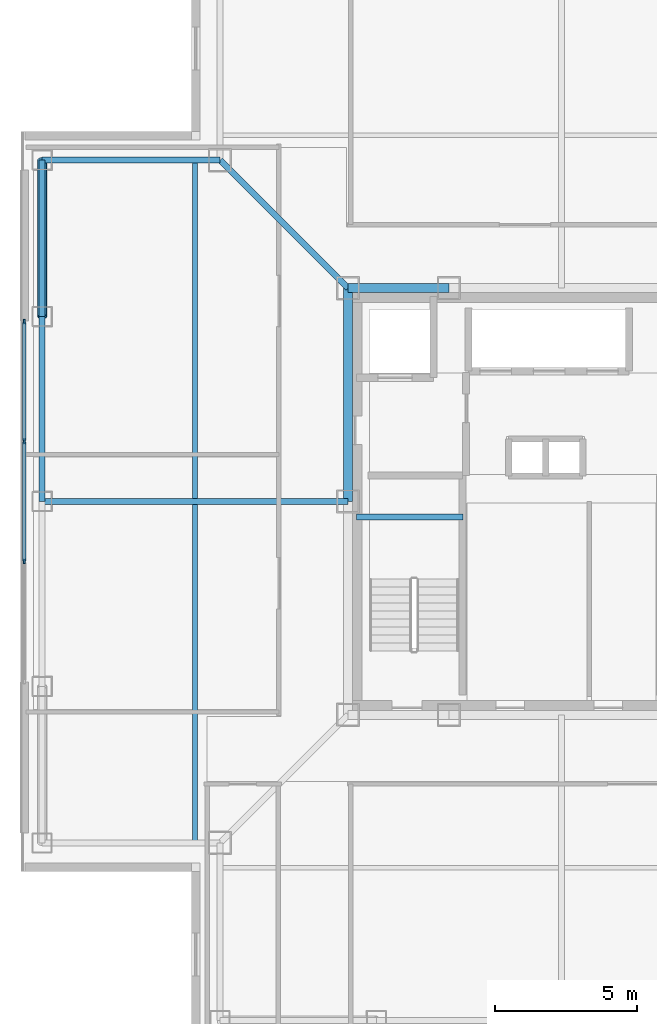
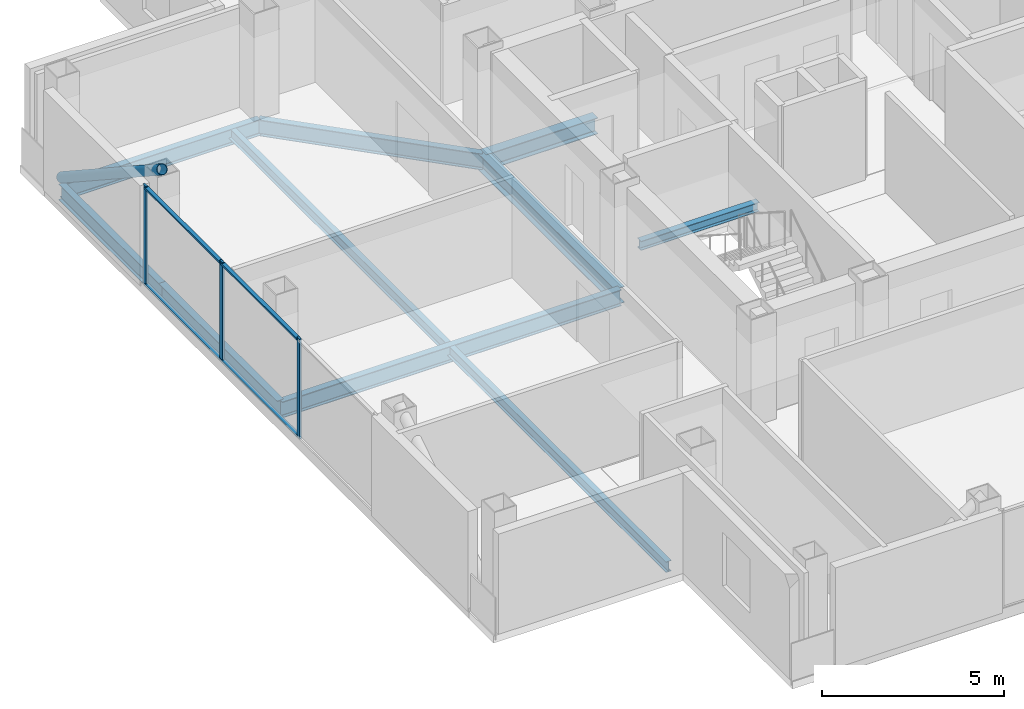
# One storey, part 4 of 16: 9 beams, 8 members, 1 element without a shape of its own.
"""IFC4 building model written with IfcOpenShell, lengths in metres."""

from ifc_helpers import new_model, si_unit, direction, frame, origin, origin_2d, place, context, subcontext, project, spatial, rectangle, hollow_circle, i_section, extrude, material, layer, layer_set, material_profile, profile_set, type_object, element, aggregate, save


model = new_model("IFC4")

# Units and contexts
model_context = context("Model", 3, precision=1e-05, world=origin(), true_north=direction((0.0, 1.0)))
body_context = subcontext(model_context, "Body", "Model", "MODEL_VIEW")
ifc_project = project(units=[si_unit("LENGTHUNIT", "METRE"), si_unit("AREAUNIT", "SQUARE_METRE"), si_unit("VOLUMEUNIT", "CUBIC_METRE"), si_unit("PLANEANGLEUNIT", "RADIAN"), si_unit("MASSUNIT", "GRAM", prefix="KILO")], contexts=[model_context])

# Site, building, storey
site_placement = place(None, origin())
site = spatial("IfcSite", under=ifc_project, at=site_placement, CompositionType="ELEMENT")
building_placement = place(site_placement, origin())
building = spatial("IfcBuilding", under=site, at=building_placement, Name="Trevonay Congress Spire", CompositionType="ELEMENT")
storey_placement = place(building_placement, frame((0.0, 0.0, 257.60009765625)))
storey = spatial("IfcBuildingStorey", under=building, at=storey_placement, Name="L67", CompositionType="ELEMENT", Elevation=257.60009765625)

# Beams
ifc_material_1 = material(Name="Steel ASTM A572 Grade 50", Category="steel")
ifc_material_profile_1 = material_profile(ifc_material_1, i_section(OverallWidth=0.2119140625, OverallDepth=0.5439453125, WebThickness=0.01318359375, FlangeThickness=0.021240234375, FilletRadius=0.014892578125, at=origin_2d()), Name="W530x123")
ifc_profile_set_1 = profile_set([ifc_material_profile_1], Name="Steel ASTM A572 Grade 50")
beam_type_1 = type_object("IfcBeamType", Name="BM-GIRD-W530X123", PredefinedType="BEAM", material=ifc_profile_set_1)
beam_1_placement = place(storey_placement, frame((-7.5, 7.5, -0.51220703125), z_axis=(-0.707106781187, 0.707106781187, 0.0), x_axis=(-0.707106781187, -0.707106781187, 0.0)))
element("IfcBeam", 1, at=beam_1_placement, inside=storey, type_object=beam_type_1, Name="L67 structural beam BM-L67-CDNW", PredefinedType="BEAM", context=body_context, shape_type="SweptSolid", body=[
    extrude(i_section(OverallWidth=0.2119140625, OverallDepth=0.5439453125, WebThickness=0.01318359375, FlangeThickness=0.021240234375, FilletRadius=0.014892578125, at=origin_2d()), origin(), (0.0, 0.0, 1.0), 6.364013671875),
])
beam_2_placement = place(storey_placement, frame((-7.5, 0.0, -0.51220703125), z_axis=(-1.0, 0.0, 0.0), x_axis=(0.0, -1.0, 0.0)))
element("IfcBeam", 2, at=beam_2_placement, inside=storey, type_object=beam_type_1, Name="L67 structural beam BM-L67-GC-W", PredefinedType="BEAM", context=body_context, shape_type="SweptSolid", body=[
    extrude(i_section(OverallWidth=0.2119140625, OverallDepth=0.5439453125, WebThickness=0.01318359375, FlangeThickness=0.021240234375, FilletRadius=0.014892578125, at=origin_2d()), origin(), (0.0, 0.0, 1.0), 10.75),
])
ifc_material_profile_2 = material_profile(ifc_material_1, i_section(OverallWidth=0.31201171875, OverallDepth=0.54296875, WebThickness=0.0126953125, FlangeThickness=0.020263671875, FilletRadius=0.014892578125, at=origin_2d()), Name="W530x150")
ifc_profile_set_2 = profile_set([ifc_material_profile_2], Name="Steel ASTM A572 Grade 50")
beam_type_2 = type_object("IfcBeamType", Name="BM-GIRD-W530X150", PredefinedType="BEAM", material=ifc_profile_set_2)
beam_3_placement = place(storey_placement, frame((-7.5, 7.5, -0.51171875), z_axis=(1.0, 0.0, 0.0), x_axis=(0.0, 1.0, 0.0)))
element("IfcBeam", 3, at=beam_3_placement, inside=storey, type_object=beam_type_2, Name="L67 structural beam BM-L67-CR-N1", PredefinedType="BEAM", context=body_context, shape_type="SweptSolid", body=[
    extrude(i_section(OverallWidth=0.31201171875, OverallDepth=0.54296875, WebThickness=0.0126953125, FlangeThickness=0.020263671875, FilletRadius=0.014892578125, at=origin_2d()), origin(), (0.0, 0.0, 1.0), 3.550048828125),
])
beam_4_placement = place(storey_placement, frame((-7.5, 0.0, -0.51171875), z_axis=(0.0, 1.0, 0.0), x_axis=(-1.0, 0.0, 0.0)))
element("IfcBeam", 4, at=beam_4_placement, inside=storey, type_object=beam_type_2, Name="L67 structural beam BM-L67-CR-W2", PredefinedType="BEAM", context=body_context, shape_type="SweptSolid", body=[
    extrude(i_section(OverallWidth=0.31201171875, OverallDepth=0.54296875, WebThickness=0.0126953125, FlangeThickness=0.020263671875, FilletRadius=0.014892578125, at=origin_2d()), origin(), (0.0, 0.0, 1.0), 7.5),
])
ifc_material_profile_3 = material_profile(ifc_material_1, i_section(OverallWidth=0.208984375, OverallDepth=0.532958984375, WebThickness=0.01025390625, FlangeThickness=0.015625, FilletRadius=0.014892578125, at=origin_2d()), Name="W530x92")
ifc_profile_set_3 = profile_set([ifc_material_profile_3], Name="Steel ASTM A572 Grade 50")
beam_type_3 = type_object("IfcBeamType", Name="BM-RING-W530X92", PredefinedType="BEAM", material=ifc_profile_set_3)
beam_5_placement = place(storey_placement, frame((-18.25, 0.0, -0.506591796875), z_axis=(0.0, 1.0, 0.0), x_axis=(-1.0, 0.0, 0.0)))
element("IfcBeam", 5, at=beam_5_placement, inside=storey, type_object=beam_type_3, Name="L67 structural beam BM-L67-PW3", PredefinedType="BEAM", context=body_context, shape_type="SweptSolid", body=[
    extrude(i_section(OverallWidth=0.208984375, OverallDepth=0.532958984375, WebThickness=0.01025390625, FlangeThickness=0.015625, FilletRadius=0.014892578125, at=origin_2d()), origin(), (0.0, 0.0, 1.0), 6.5),
])
beam_6_placement = place(storey_placement, frame((-18.25, 6.5, -0.506591796875), z_axis=(0.0, 1.0, 0.0), x_axis=(-1.0, 0.0, 0.0)))
element("IfcBeam", 6, at=beam_6_placement, inside=storey, type_object=beam_type_3, Name="L67 structural beam BM-L67-PW4", PredefinedType="BEAM", context=body_context, shape_type="SweptSolid", body=[
    extrude(i_section(OverallWidth=0.208984375, OverallDepth=0.532958984375, WebThickness=0.01025390625, FlangeThickness=0.015625, FilletRadius=0.014892578125, at=origin_2d()), origin(), (0.0, 0.0, 1.0), 5.5),
])
beam_7_placement = place(storey_placement, frame((-18.25, 12.0, -0.506591796875), z_axis=(1.0, 0.0, 0.0), x_axis=(0.0, 1.0, 0.0)))
element("IfcBeam", 7, at=beam_7_placement, inside=storey, type_object=beam_type_3, Name="L67 structural beam BM-L67-N2NW", PredefinedType="BEAM", context=body_context, shape_type="SweptSolid", body=[
    extrude(i_section(OverallWidth=0.208984375, OverallDepth=0.532958984375, WebThickness=0.01025390625, FlangeThickness=0.015625, FilletRadius=0.014892578125, at=origin_2d()), origin(), (0.0, 0.0, 1.0), 6.25),
])

# Curtain wall, members
ifc_material_2 = material(Name="Pale Anodised Aluminium EN AW-6063-T6", Category="aluminium")
ifc_layer = layer(ifc_material_2, 0.1650390625, Name="Pale Anodised Aluminium EN AW-6063-T6")
ifc_layer_set = layer_set([ifc_layer], Name="Pale Anodised Aluminium EN AW-6063-T6")
curtain_wall_type = type_object("IfcCurtainWallType", Name="CW-SYS05-DIPLOM-PALE-METAL", PredefinedType="NOTDEFINED", material=ifc_layer_set)
curtain_wall_placement = place(storey_placement, origin())
curtain_wall = element("IfcCurtainWall", 8, at=curtain_wall_placement, inside=storey, type_object=curtain_wall_type, Name="L67 W unitised curtain wall", PredefinedType="NOTDEFINED")
ifc_material_profile_4 = material_profile(ifc_material_2, rectangle(XDim=0.06005859375, YDim=0.159912109375, at=origin_2d()), Name="CW-MULLION-160-ALUMINIUM")
ifc_profile_set_4 = profile_set([ifc_material_profile_4], Name="Pale Anodised Aluminium EN AW-6063-T6")
member_type_1 = type_object("IfcMemberType", Name="CW-MULLION-160-ALUMINIUM", PredefinedType="MULLION", material=ifc_profile_set_4)
member_1_placement = place(storey_placement, frame((-18.8798828125, -2.11669921875, 0.0), z_axis=(0.0, 0.0, 1.0), x_axis=(-1.0, 0.0, 0.0)))
member_1 = element("IfcMember", 9, at=member_1_placement, type_object=member_type_1, Name="CW05 mullion 2", PredefinedType="MULLION", context=body_context, shape_type="SweptSolid", body=[
    extrude(rectangle(XDim=0.06005859375, YDim=0.159912109375, at=origin_2d()), origin(), (0.0, 0.0, 1.0), 3.35986328125),
])
member_2_placement = place(storey_placement, frame((-18.8798828125, 2.11669921875, 0.0), z_axis=(0.0, 0.0, 1.0), x_axis=(-1.0, 0.0, 0.0)))
member_2 = element("IfcMember", 10, at=member_2_placement, type_object=member_type_1, Name="CW05 mullion 3", PredefinedType="MULLION", context=body_context, shape_type="SweptSolid", body=[
    extrude(rectangle(XDim=0.06005859375, YDim=0.159912109375, at=origin_2d()), origin(), (0.0, 0.0, 1.0), 3.35986328125),
])
member_3_placement = place(storey_placement, frame((-18.8798828125, 6.320068359375, 0.0), z_axis=(0.0, 0.0, 1.0), x_axis=(-1.0, 0.0, 0.0)))
member_3 = element("IfcMember", 11, at=member_3_placement, type_object=member_type_1, Name="CW05 mullion 4", PredefinedType="MULLION", context=body_context, shape_type="SweptSolid", body=[
    extrude(rectangle(XDim=0.06005859375, YDim=0.159912109375, at=origin_2d()), origin(), (0.0, 0.0, 1.0), 3.35986328125),
])
ifc_material_profile_5 = material_profile(ifc_material_2, rectangle(XDim=0.1201171875, YDim=0.06005859375, at=origin_2d()), Name="CW-TRANSOM-120-ALUMINIUM")
ifc_profile_set_5 = profile_set([ifc_material_profile_5], Name="Pale Anodised Aluminium EN AW-6063-T6")
member_type_2 = type_object("IfcMemberType", Name="CW-TRANSOM-120-ALUMINIUM", PredefinedType="USERDEFINED", material=ifc_profile_set_5)
member_4_placement = place(storey_placement, frame((-18.8798828125, -2.086669921875, 0.059814453125), z_axis=(0.0, 1.0, 0.0), x_axis=(-1.0, 0.0, 0.0)))
member_4 = element("IfcMember", 12, at=member_4_placement, type_object=member_type_2, Name="CW05 transom 2.1", ObjectType="TRANSOM", PredefinedType="USERDEFINED", context=body_context, shape_type="SweptSolid", body=[
    extrude(rectangle(XDim=0.1201171875, YDim=0.06005859375, at=origin_2d()), origin(), (0.0, 0.0, 1.0), 4.17333984375),
])
member_5_placement = place(storey_placement, frame((-18.8798828125, -2.086669921875, 3.2998046875), z_axis=(0.0, 1.0, 0.0), x_axis=(-1.0, 0.0, 0.0)))
member_5 = element("IfcMember", 13, at=member_5_placement, type_object=member_type_2, Name="CW05 transom 2.2", ObjectType="TRANSOM", PredefinedType="USERDEFINED", context=body_context, shape_type="SweptSolid", body=[
    extrude(rectangle(XDim=0.1201171875, YDim=0.06005859375, at=origin_2d()), origin(), (0.0, 0.0, 1.0), 4.17333984375),
])
member_6_placement = place(storey_placement, frame((-18.8798828125, 2.146728515625, 0.059814453125), z_axis=(0.0, 1.0, 0.0), x_axis=(-1.0, 0.0, 0.0)))
member_6 = element("IfcMember", 14, at=member_6_placement, type_object=member_type_2, Name="CW05 transom 3.1", ObjectType="TRANSOM", PredefinedType="USERDEFINED", context=body_context, shape_type="SweptSolid", body=[
    extrude(rectangle(XDim=0.1201171875, YDim=0.06005859375, at=origin_2d()), origin(), (0.0, 0.0, 1.0), 4.143310546875),
])
member_7_placement = place(storey_placement, frame((-18.8798828125, 2.146728515625, 3.2998046875), z_axis=(0.0, 1.0, 0.0), x_axis=(-1.0, 0.0, 0.0)))
member_7 = element("IfcMember", 15, at=member_7_placement, type_object=member_type_2, Name="CW05 transom 3.2", ObjectType="TRANSOM", PredefinedType="USERDEFINED", context=body_context, shape_type="SweptSolid", body=[
    extrude(rectangle(XDim=0.1201171875, YDim=0.06005859375, at=origin_2d()), origin(), (0.0, 0.0, 1.0), 4.143310546875),
])
aggregate(curtain_wall, [member_1, member_2, member_3, member_4, member_5, member_6, member_7])

# Beams
ifc_material_profile_6 = material_profile(ifc_material_1, i_section(OverallWidth=0.172119140625, OverallDepth=0.35791015625, WebThickness=0.0078125, FlangeThickness=0.01318359375, FilletRadius=0.011962890625, at=origin_2d()), Name="W360x57.8")
ifc_profile_set_6 = profile_set([ifc_material_profile_6], Name="Steel ASTM A572 Grade 50")
beam_type_4 = type_object("IfcBeamType", Name="JS-COMP-W360X57", PredefinedType="JOIST", material=ifc_profile_set_6)
beam_8_placement = place(storey_placement, frame((-12.875, -12.0, -0.419189453125), z_axis=(0.0, 1.0, 0.0), x_axis=(-1.0, 0.0, 0.0)))
element("IfcBeam", 16, at=beam_8_placement, inside=storey, type_object=beam_type_4, Name="L67 structural beam JS-L67-RING-W", PredefinedType="JOIST", context=body_context, shape_type="SweptSolid", body=[
    extrude(i_section(OverallWidth=0.172119140625, OverallDepth=0.35791015625, WebThickness=0.0078125, FlangeThickness=0.01318359375, FilletRadius=0.011962890625, at=origin_2d()), origin(), (0.0, 0.0, 1.0), 24.0),
])
ifc_material_profile_7 = material_profile(ifc_material_1, i_section(OverallWidth=0.2041015625, OverallDepth=0.305908203125, WebThickness=0.008544921875, FlangeThickness=0.0146484375, FilletRadius=0.010986328125, at=origin_2d()), Name="W310x67")
ifc_profile_set_7 = profile_set([ifc_material_profile_7], Name="Steel ASTM A572 Grade 50")
beam_type_5 = type_object("IfcBeamType", Name="LN-CORE-W310X67", PredefinedType="LINTEL", material=ifc_profile_set_7)
beam_9_placement = place(storey_placement, frame((-7.199951171875, -0.550048828125, 1.447021484375), z_axis=(1.0, 0.0, 0.0), x_axis=(0.0, 1.0, 0.0)))
element("IfcBeam", 17, at=beam_9_placement, inside=storey, type_object=beam_type_5, Name="L67 structural beam BM-L67-HL-ST1", PredefinedType="LINTEL", context=body_context, shape_type="SweptSolid", body=[
    extrude(i_section(OverallWidth=0.2041015625, OverallDepth=0.305908203125, WebThickness=0.008544921875, FlangeThickness=0.0146484375, FilletRadius=0.010986328125, at=origin_2d()), origin(), (0.0, 0.0, 1.0), 3.75),
])

# Member
ifc_material_3 = material(Name="Steel ASTM A500 Grade C", Category="steel")
ifc_material_profile_8 = material_profile(ifc_material_3, hollow_circle(Radius=0.161865234375, WallThickness=0.01611328125, at=origin_2d()), Name="CHS 323.9x16")
ifc_profile_set_8 = profile_set([ifc_material_profile_8], Name="Steel ASTM A500 Grade C")
member_type_3 = type_object("IfcMemberType", Name="MBR-TUBE-CHS324", PredefinedType="BRACE", material=ifc_profile_set_8)
member_8_placement = place(storey_placement, frame((-18.25, 12.0, -0.050048828125), z_axis=(0.0, -0.836711728151, 0.547643573845), x_axis=(1.0, 0.0, 0.0)))
element("IfcMember", 18, at=member_8_placement, inside=storey, type_object=member_type_3, Name="L67 perimeter braced-tube diagonal W3", PredefinedType="BRACE", context=body_context, shape_type="SweptSolid", body=[
    extrude(hollow_circle(Radius=0.161865234375, WallThickness=0.01611328125, at=origin_2d()), origin(), (0.0, 0.0, 1.0), 6.5732421875),
])

save(model, "model.ifc")
